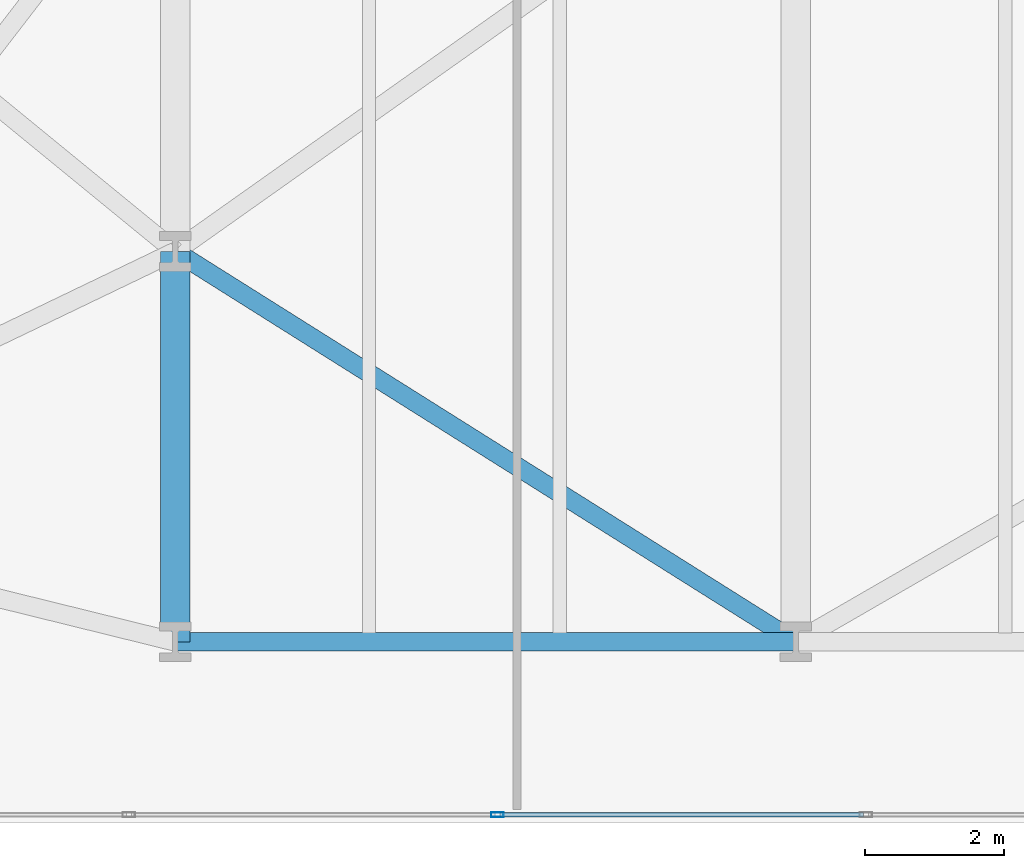
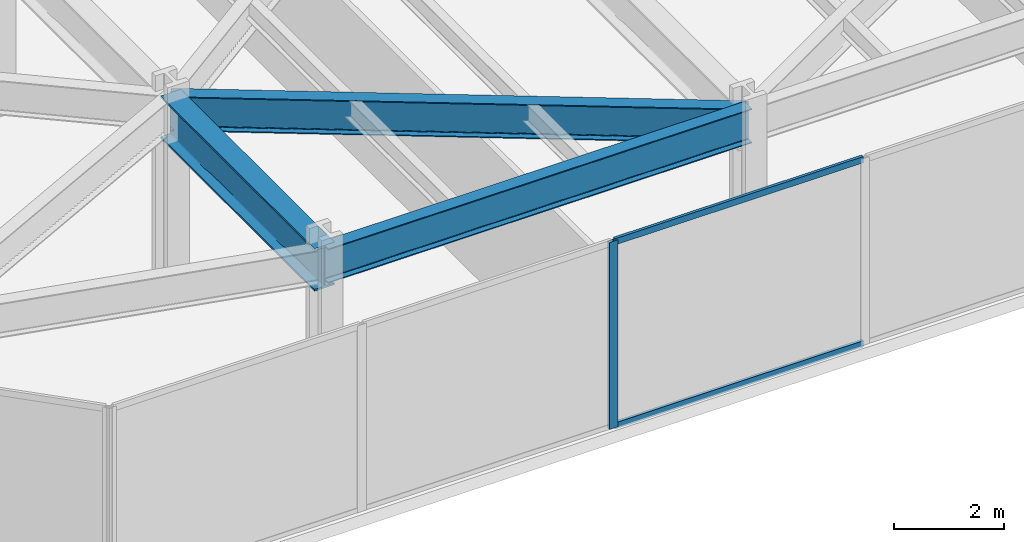
# One storey, part 3 of 30: 3 beams, 3 members, 1 element without a shape of its own.
"""IFC4 building model written with IfcOpenShell, lengths in metres."""

from ifc_helpers import new_model, si_unit, direction, frame, origin, origin_2d, place, context, subcontext, project, spatial, hollow_rectangle, i_section, extrude, material, layer, layer_set, material_profile, profile_set, type_object, element, aggregate, save


model = new_model("IFC4")

# Units and contexts
model_context = context("Model", 3, precision=1e-05, world=origin(), true_north=direction((0.0, 1.0)))
body_context = subcontext(model_context, "Body", "Model", "MODEL_VIEW")
ifc_project = project(units=[si_unit("LENGTHUNIT", "METRE"), si_unit("AREAUNIT", "SQUARE_METRE"), si_unit("VOLUMEUNIT", "CUBIC_METRE"), si_unit("PLANEANGLEUNIT", "RADIAN"), si_unit("MASSUNIT", "GRAM", prefix="KILO")], contexts=[model_context])

# Site, building, storey
site_placement = place(None, origin())
site = spatial("IfcSite", under=ifc_project, at=site_placement, CompositionType="ELEMENT")
building_placement = place(site_placement, origin())
building = spatial("IfcBuilding", under=site, at=building_placement, Name="Kravanh Interchange Tower", CompositionType="ELEMENT")
storey_placement = place(building_placement, frame((0.0, 0.0, 19.800048828125)))
storey = spatial("IfcBuildingStorey", under=building, at=storey_placement, Name="L04", CompositionType="ELEMENT", Elevation=19.800048828125)

# Curtain wall, members
ifc_material_1 = material(Name="Anodised Bronze Aluminium", Category="aluminium")
ifc_layer = layer(ifc_material_1, 0.179931640625)
ifc_layer_set = layer_set([ifc_layer], Name="Unitised Curtain Wall System CW-POD Podium Concourse")
curtain_wall_type = type_object("IfcCurtainWallType", Name="Unitised Curtain Wall System CW-POD Podium Concourse", PredefinedType="NOTDEFINED", material=ifc_layer_set)
curtain_wall_placement = place(storey_placement, origin())
curtain_wall = element("IfcCurtainWall", 1, at=curtain_wall_placement, inside=storey, type_object=curtain_wall_type, Name="L04 Unitised Curtain Wall CW-L04-04", PredefinedType="NOTDEFINED")
ifc_material_2 = material(Name="Anodised Bronze Aluminium", Category="aluminium")
ifc_material_profile_1 = material_profile(ifc_material_2, hollow_rectangle(XDim=0.070068359375, YDim=0.179931640625, WallThickness=0.00390625, at=origin_2d()), Name="ALU70X180X4")
ifc_profile_set_1 = profile_set([ifc_material_profile_1], Name="Anodised Bronze Aluminium")
member_type_1 = type_object("IfcMemberType", Name="Curtain Wall Mullion ALU70X180X4 Bronze", PredefinedType="MULLION", material=ifc_profile_set_1)
member_1_placement = place(storey_placement, frame((13.218994140625, 0.1201171875, 0.0), z_axis=(0.0, 0.0, 1.0), x_axis=(0.0, -1.0, 0.0)))
member_1 = element("IfcMember", 2, at=member_1_placement, type_object=member_type_1, Name="CW-POD mullion 12", PredefinedType="MULLION", context=body_context, shape_type="SweptSolid", body=[
    extrude(hollow_rectangle(XDim=0.070068359375, YDim=0.179931640625, WallThickness=0.00390625, at=origin_2d()), origin(), (0.0, 0.0, 1.0), 4.14990234375),
])
ifc_material_3 = material(Name="Anodised Bronze Aluminium", Category="aluminium")
ifc_material_profile_2 = material_profile(ifc_material_3, hollow_rectangle(XDim=0.06005859375, YDim=0.139892578125, WallThickness=0.00390625, at=origin_2d()), Name="ALU60X140X4")
ifc_profile_set_2 = profile_set([ifc_material_profile_2], Name="Anodised Bronze Aluminium")
member_type_2 = type_object("IfcMemberType", Name="Curtain Wall Transom ALU60X140X4 Bronze", PredefinedType="USERDEFINED", material=ifc_profile_set_2)
member_2_placement = place(storey_placement, frame((18.46875, 0.1201171875, 0.030029296875), z_axis=(-1.0, 0.0, 0.0), x_axis=(0.0, -1.0, 0.0)))
member_2 = element("IfcMember", 3, at=member_2_placement, type_object=member_type_2, Name="CW-POD transom 11.1", ObjectType="TRANSOM", PredefinedType="USERDEFINED", context=body_context, shape_type="SweptSolid", body=[
    extrude(hollow_rectangle(XDim=0.06005859375, YDim=0.139892578125, WallThickness=0.00390625, at=origin_2d()), origin(), (0.0, 0.0, 1.0), 5.21484375),
])
member_3_placement = place(storey_placement, frame((18.46875, 0.1201171875, 4.119873046875), z_axis=(-1.0, 0.0, 0.0), x_axis=(0.0, -1.0, 0.0)))
member_3 = element("IfcMember", 4, at=member_3_placement, type_object=member_type_2, Name="CW-POD transom 11.2", ObjectType="TRANSOM", PredefinedType="USERDEFINED", context=body_context, shape_type="SweptSolid", body=[
    extrude(hollow_rectangle(XDim=0.06005859375, YDim=0.139892578125, WallThickness=0.00390625, at=origin_2d()), origin(), (0.0, 0.0, 1.0), 5.21484375),
])
aggregate(curtain_wall, [member_1, member_2, member_3])

# Beams
ifc_material_4 = material(Name="Structural Steel S450", Category="steel")
ifc_material_profile_3 = material_profile(ifc_material_4, i_section(OverallWidth=0.423095703125, OverallDepth=0.947998046875, WebThickness=0.02392578125, FlangeThickness=0.042724609375, FilletRadius=0.028076171875, at=origin_2d()), Name="W36X302")
ifc_profile_set_3 = profile_set([ifc_material_profile_3], Name="Structural Steel S450")
beam_type_1 = type_object("IfcBeamType", Name="Floor Beam W36X302 Structural Steel S450", PredefinedType="BEAM", material=ifc_profile_set_3)
beam_1_placement = place(storey_placement, frame((8.60009765625, 2.60009765625, 3.676025390625), z_axis=(0.0, 1.0, 0.0), x_axis=(-1.0, 0.0, 0.0)))
element("IfcBeam", 5, at=beam_1_placement, inside=storey, type_object=beam_type_1, Name="L04 Primary Floor Girder 1", PredefinedType="BEAM", context=body_context, shape_type="SweptSolid", body=[
    extrude(i_section(OverallWidth=0.423095703125, OverallDepth=0.947998046875, WebThickness=0.02392578125, FlangeThickness=0.042724609375, FilletRadius=0.028076171875, at=origin_2d()), origin(), (0.0, 0.0, 1.0), 5.599853515625),
])
ifc_material_5 = material(Name="Structural Steel S355", Category="steel")
ifc_material_profile_4 = material_profile(ifc_material_5, i_section(OverallWidth=0.26708984375, OverallDepth=0.761962890625, WebThickness=0.014404296875, FlangeThickness=0.021484375, FilletRadius=0.02490234375, at=origin_2d()), Name="W30X116")
ifc_profile_set_4 = profile_set([ifc_material_profile_4], Name="Structural Steel S355")
beam_type_2 = type_object("IfcBeamType", Name="Floor Spandrel W30X116 Structural Steel S355", PredefinedType="SPANDREL", material=ifc_profile_set_4)
beam_2_placement = place(storey_placement, frame((8.60009765625, 2.60009765625, 3.76904296875), z_axis=(1.0, 0.0, 0.0), x_axis=(0.0, 1.0, 0.0)))
element("IfcBeam", 6, at=beam_2_placement, inside=storey, type_object=beam_type_2, Name="L04 Perimeter Spandrel 3", PredefinedType="SPANDREL", context=body_context, shape_type="SweptSolid", body=[
    extrude(i_section(OverallWidth=0.26708984375, OverallDepth=0.761962890625, WebThickness=0.014404296875, FlangeThickness=0.021484375, FilletRadius=0.02490234375, at=origin_2d()), origin(), (0.0, 0.0, 1.0), 8.89990234375),
])
beam_3_placement = place(storey_placement, frame((17.5, 2.60009765625, 3.76904296875), z_axis=(-0.846395259538, 0.532555222143, 0.0), x_axis=(-0.532555222143, -0.846395259538, 0.0)))
element("IfcBeam", 7, at=beam_3_placement, inside=storey, type_object=beam_type_2, Name="L04 Perimeter Spandrel 5", PredefinedType="SPANDREL", context=body_context, shape_type="SweptSolid", body=[
    extrude(i_section(OverallWidth=0.26708984375, OverallDepth=0.761962890625, WebThickness=0.014404296875, FlangeThickness=0.021484375, FilletRadius=0.02490234375, at=origin_2d()), origin(), (0.0, 0.0, 1.0), 10.51513671875),
])

save(model, "model.ifc")
